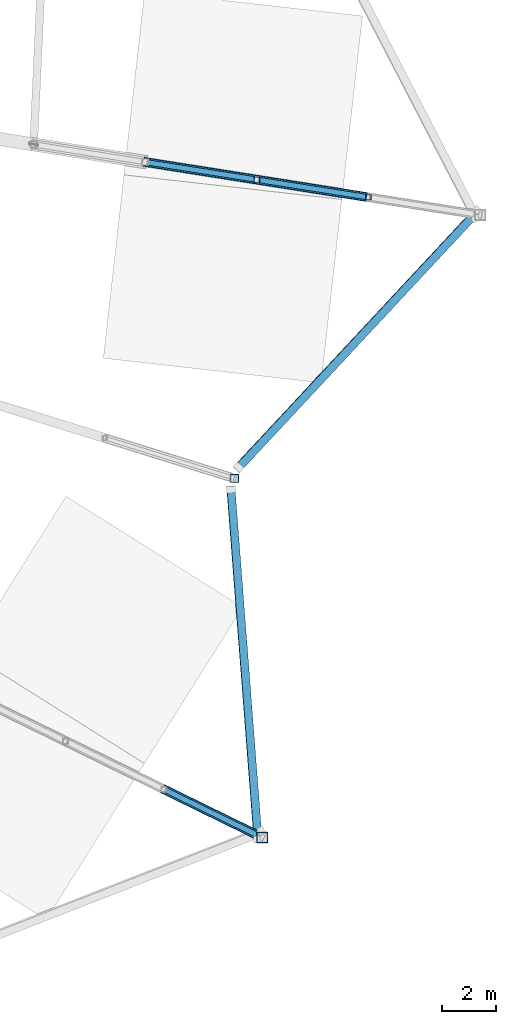
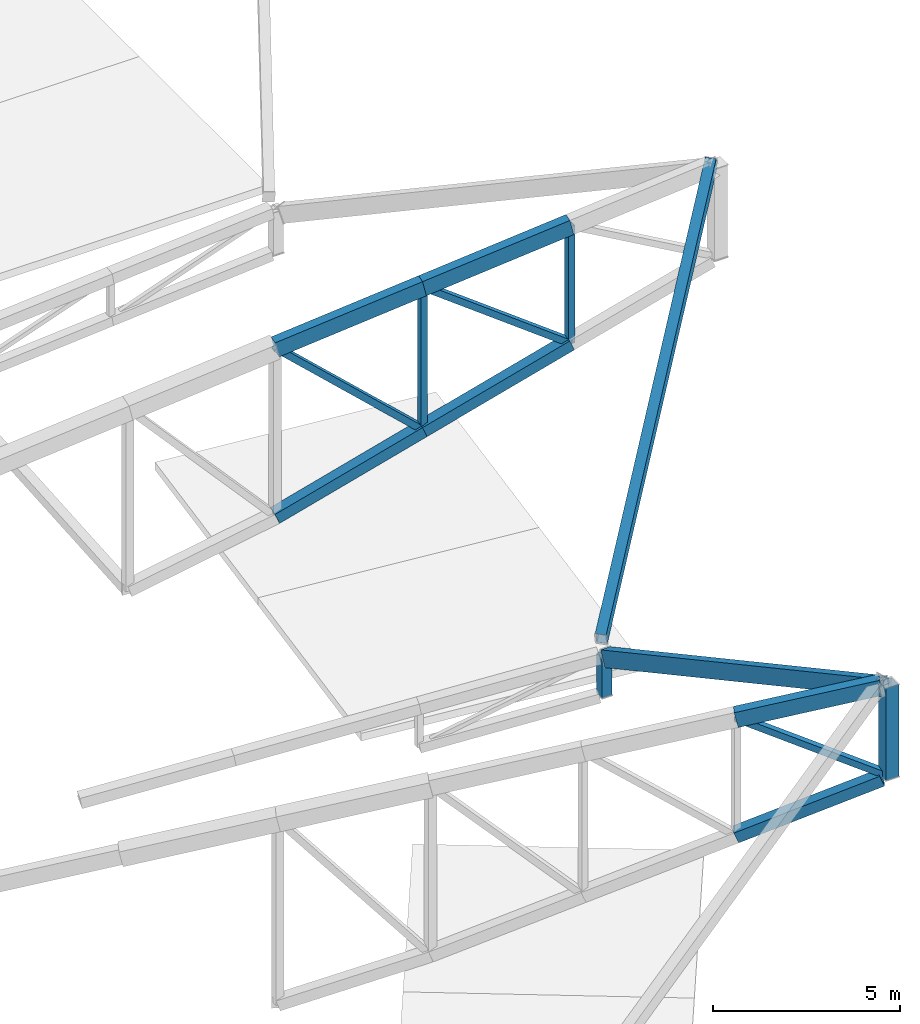
# One storey, part 51 of 188: 13 members, 2 beams.
"""IFC4 building model written with IfcOpenShell, lengths in metres."""

from ifc_helpers import new_model, si_unit, direction, frame, origin, origin_2d, place, context, subcontext, project, spatial, hollow_rectangle, extrude, material, material_profile, profile_set, type_object, element, save


model = new_model("IFC4")

# Units and contexts
model_context = context("Model", 3, precision=1e-05, world=origin(), true_north=direction((0.0, 1.0)))
body_context = subcontext(model_context, "Body", "Model", "MODEL_VIEW")
ifc_project = project(units=[si_unit("LENGTHUNIT", "METRE"), si_unit("AREAUNIT", "SQUARE_METRE"), si_unit("VOLUMEUNIT", "CUBIC_METRE"), si_unit("PLANEANGLEUNIT", "RADIAN"), si_unit("MASSUNIT", "GRAM", prefix="KILO")], contexts=[model_context])

# Site, building, storey
site_placement = place(None, origin())
site = spatial("IfcSite", under=ifc_project, at=site_placement, CompositionType="ELEMENT")
building_placement = place(site_placement, origin())
building = spatial("IfcBuilding", under=site, at=building_placement, Name="Meseta Stadium", CompositionType="ELEMENT")
storey_placement = place(building_placement, frame((0.0, 0.0, 30.0)))
storey = spatial("IfcBuildingStorey", under=building, at=storey_placement, Name="ROOF", CompositionType="ELEMENT", Elevation=30.0)

# Beams
ifc_material_1 = material(Name="Steel S355", Category="steel")
ifc_material_profile_1 = material_profile(ifc_material_1, hollow_rectangle(XDim=0.300048828125, YDim=0.5, WallThickness=0.01611328125, at=origin_2d()), Name="RHS 500x300x16")
ifc_profile_set_1 = profile_set([ifc_material_profile_1], Name="Steel S355")
beam_type = type_object("IfcBeamType", Name="RHS 500x300x16 rim ring beam", PredefinedType="BEAM", material=ifc_profile_set_1)
for number, where, z_axis, x_axis, name in (
    (1, (92.74365234375, -79.527587890625, 10.41015625), (-0.068685754258, 0.889953064978, -0.450850096261), (-0.997637943348, -0.061677231743, 0.030239925196), "RIM RING BEAM 55"),
    (2, (92.022705078125, -65.636962890625, 3.796142578125), (0.60856859861, 0.652977883358, 0.450848250114), (-0.743783909237, 0.667372742136, 0.037404804693), "RIM RING BEAM 56"),
):
    element("IfcBeam", number, at=place(storey_placement, frame(where, z_axis=z_axis, x_axis=x_axis)), inside=storey, type_object=beam_type, Name=name, PredefinedType="BEAM", context=body_context, shape_type="SweptSolid", body=[
        extrude(hollow_rectangle(XDim=0.300048828125, YDim=0.5, WallThickness=0.01611328125, at=origin_2d()), origin(), (0.0, 0.0, 1.0), 14.6728515625),
    ])

# Members
ifc_material_2 = material(Name="Steel S355", Category="steel")
ifc_material_profile_2 = material_profile(ifc_material_2, hollow_rectangle(XDim=0.300048828125, YDim=0.5, WallThickness=0.01611328125, at=origin_2d()), Name="RHS 500x300x16")
ifc_profile_set_2 = profile_set([ifc_material_profile_2], Name="Steel S355")
member_type_1 = type_object("IfcMemberType", Name="RHS 500x300x16 top chord", PredefinedType="CHORD", material=ifc_profile_set_2)
member_1_placement = place(storey_placement, frame((88.535400390625, -54.224853515625, 7.621337890625), z_axis=(0.964269528761, -0.152351087112, 0.216733527999), x_axis=(0.156060520601, 0.987747495016, 0.0)))
element("IfcMember", 3, at=member_1_placement, inside=storey, type_object=member_type_1, Name="ROOF TRUSS RT-00 top chord", PredefinedType="CHORD", context=body_context, shape_type="SweptSolid", body=[
    extrude(hollow_rectangle(XDim=0.300048828125, YDim=0.5, WallThickness=0.01611328125, at=origin_2d()), origin(), (0.0, 0.0, 1.0), 4.32666015625),
])
member_2_placement = place(storey_placement, frame((92.70751953125, -54.884033203125, 8.55908203125), z_axis=(0.964249444355, -0.152404339002, 0.216785438891), x_axis=(0.156116912313, 0.98773858368, 0.0)))
element("IfcMember", 4, at=member_2_placement, inside=storey, type_object=member_type_1, Name="ROOF TRUSS RT-00 top chord", PredefinedType="CHORD", context=body_context, shape_type="SweptSolid", body=[
    extrude(hollow_rectangle(XDim=0.300048828125, YDim=0.5, WallThickness=0.01611328125, at=origin_2d()), origin(), (0.0, 0.0, 1.0), 4.326904296875),
])
member_3_placement = place(storey_placement, frame((89.23095703125, -77.673828125, 9.513916015625), z_axis=(0.876465114648, -0.429159356242, 0.218245617952), x_axis=(0.439760273495, 0.89811519409, 0.0)))
element("IfcMember", 5, at=member_3_placement, inside=storey, type_object=member_type_1, Name="ROOF TRUSS RT-54 top chord", PredefinedType="CHORD", context=body_context, shape_type="SweptSolid", body=[
    extrude(hollow_rectangle(XDim=0.300048828125, YDim=0.5, WallThickness=0.01611328125, at=origin_2d()), origin(), (0.0, 0.0, 1.0), 3.995849609375),
])
ifc_material_3 = material(Name="Steel S355", Category="steel")
ifc_material_profile_3 = material_profile(ifc_material_3, hollow_rectangle(XDim=0.199951171875, YDim=0.199951171875, WallThickness=0.008056640625, at=origin_2d()), Name="SHS 200x200x8")
ifc_profile_set_3 = profile_set([ifc_material_profile_3], Name="Steel S355")
member_type_2 = type_object("IfcMemberType", Name="SHS 200x200x8 diagonal", PredefinedType="BRACE", material=ifc_profile_set_3)
member_4_placement = place(storey_placement, frame((88.535400390625, -54.224853515625, 7.621337890625), z_axis=(0.740492693819, -0.116995159068, -0.661802616461), x_axis=(0.156060520601, 0.987747495016, 0.0)))
element("IfcMember", 6, at=member_4_placement, inside=storey, type_object=member_type_2, Name="ROOF TRUSS RT-00 diagonal", PredefinedType="BRACE", context=body_context, shape_type="SweptSolid", body=[
    extrude(hollow_rectangle(XDim=0.199951171875, YDim=0.199951171875, WallThickness=0.008056640625, at=origin_2d()), origin(), (0.0, 0.0, 1.0), 5.63427734375),
])
member_5_placement = place(storey_placement, frame((92.70751953125, -54.884033203125, 8.55908203125), z_axis=(0.814718325647, -0.128770214616, -0.565377998938), x_axis=(0.156116912313, 0.98773858368, 0.0)))
element("IfcMember", 7, at=member_5_placement, inside=storey, type_object=member_type_2, Name="ROOF TRUSS RT-00 diagonal", PredefinedType="BRACE", context=body_context, shape_type="SweptSolid", body=[
    extrude(hollow_rectangle(XDim=0.199951171875, YDim=0.199951171875, WallThickness=0.008056640625, at=origin_2d()), origin(), (0.0, 0.0, 1.0), 5.120849609375),
])
member_6_placement = place(storey_placement, frame((89.23095703125, -77.673828125, 9.513916015625), z_axis=(0.800386278462, -0.391930504543, -0.453621301151), x_axis=(0.439781086195, 0.898105002895, 0.0)))
element("IfcMember", 8, at=member_6_placement, inside=storey, type_object=member_type_2, Name="ROOF TRUSS RT-54 diagonal", PredefinedType="BRACE", context=body_context, shape_type="SweptSolid", body=[
    extrude(hollow_rectangle(XDim=0.199951171875, YDim=0.199951171875, WallThickness=0.008056640625, at=origin_2d()), origin(), (0.0, 0.0, 1.0), 4.5947265625),
])
ifc_material_4 = material(Name="Steel S355", Category="steel")
ifc_material_profile_4 = material_profile(ifc_material_4, hollow_rectangle(XDim=0.199951171875, YDim=0.199951171875, WallThickness=0.008056640625, at=origin_2d()), Name="SHS 200x200x8")
ifc_profile_set_4 = profile_set([ifc_material_profile_4], Name="Steel S355")
member_type_3 = type_object("IfcMemberType", Name="SHS 200x200x8 post", PredefinedType="POST", material=ifc_profile_set_4)
member_7_placement = place(storey_placement, frame((92.70751953125, -54.884033203125, 3.892578125), z_axis=(0.0, 0.0, 1.0), x_axis=(1.0, 0.0, 0.0)))
element("IfcMember", 9, at=member_7_placement, inside=storey, type_object=member_type_3, Name="ROOF TRUSS RT-00 post", PredefinedType="POST", context=body_context, shape_type="SweptSolid", body=[
    extrude(hollow_rectangle(XDim=0.199951171875, YDim=0.199951171875, WallThickness=0.008056640625, at=origin_2d()), origin(), (0.0, 0.0, 1.0), 4.66650390625),
])
member_8_placement = place(storey_placement, frame((96.879638671875, -55.54345703125, 5.663818359375), z_axis=(0.0, 0.0, 1.0), x_axis=(1.0, 0.0, 0.0)))
element("IfcMember", 10, at=member_8_placement, inside=storey, type_object=member_type_3, Name="ROOF TRUSS RT-00 post", PredefinedType="POST", context=body_context, shape_type="SweptSolid", body=[
    extrude(hollow_rectangle(XDim=0.199951171875, YDim=0.199951171875, WallThickness=0.008056640625, at=origin_2d()), origin(), (0.0, 0.0, 1.0), 3.833251953125),
])
ifc_material_5 = material(Name="Steel S355", Category="steel")
ifc_material_profile_5 = material_profile(ifc_material_5, hollow_rectangle(XDim=0.300048828125, YDim=0.300048828125, WallThickness=0.010009765625, at=origin_2d()), Name="SHS 300x300x10")
ifc_profile_set_5 = profile_set([ifc_material_profile_5], Name="Steel S355")
member_type_4 = type_object("IfcMemberType", Name="SHS 300x300x10 rim post", PredefinedType="POST", material=ifc_profile_set_5)
member_9_placement = place(storey_placement, frame((91.872802734375, -66.051513671875, 2.2919921875), z_axis=(0.0, 0.0, 1.0), x_axis=(1.0, 0.0, 0.0)))
element("IfcMember", 11, at=member_9_placement, inside=storey, type_object=member_type_4, Name="ROOF TRUSS RT-55 post", PredefinedType="POST", context=body_context, shape_type="SweptSolid", body=[
    extrude(hollow_rectangle(XDim=0.300048828125, YDim=0.300048828125, WallThickness=0.010009765625, at=origin_2d()), origin(), (0.0, 0.0, 1.0), 1.300048828125),
])
ifc_material_6 = material(Name="Steel S355", Category="steel")
ifc_material_profile_6 = material_profile(ifc_material_6, hollow_rectangle(XDim=0.35009765625, YDim=0.35009765625, WallThickness=0.010009765625, at=origin_2d()), Name="SHS 350x350x10")
ifc_profile_set_6 = profile_set([ifc_material_profile_6], Name="Steel S355")
member_type_5 = type_object("IfcMemberType", Name="SHS 350x350x10 bottom chord", PredefinedType="CHORD", material=ifc_profile_set_6)
for number, where, z_axis, x_axis, name in (
    (12, (88.535400390625, -54.224853515625, 2.121337890625), (0.910899881436, -0.143918876463, 0.386715351385), (0.156060520601, 0.987747495016, 0.0), "ROOF TRUSS RT-00 bottom chord"),
    (13, (92.70751953125, -54.884033203125, 3.892578125), (0.910892892392, -0.143971075098, 0.386712384241), (0.156116912313, 0.98773858368, 0.0), "ROOF TRUSS RT-00 bottom chord"),
):
    element("IfcMember", number, at=place(storey_placement, frame(where, z_axis=z_axis, x_axis=x_axis)), inside=storey, type_object=member_type_5, Name=name, PredefinedType="CHORD", context=body_context, shape_type="SweptSolid", body=[
        extrude(hollow_rectangle(XDim=0.35009765625, YDim=0.35009765625, WallThickness=0.010009765625, at=origin_2d()), origin(), (0.0, 0.0, 1.0), 4.580322265625),
    ])
member_10_placement = place(storey_placement, frame((89.23095703125, -77.673828125, 5.682373046875), z_axis=(0.826055007262, -0.404501113934, 0.392443593149), x_axis=(0.439782165892, 0.898104474192, 0.0)))
element("IfcMember", 14, at=member_10_placement, inside=storey, type_object=member_type_5, Name="ROOF TRUSS RT-54 bottom chord", PredefinedType="CHORD", context=body_context, shape_type="SweptSolid", body=[
    extrude(hollow_rectangle(XDim=0.35009765625, YDim=0.35009765625, WallThickness=0.010009765625, at=origin_2d()), origin(), (0.0, 0.0, 1.0), 4.252197265625),
])
ifc_material_7 = material(Name="Steel S355", Category="steel")
ifc_material_profile_7 = material_profile(ifc_material_7, hollow_rectangle(XDim=0.39990234375, YDim=0.39990234375, WallThickness=0.01416015625, at=origin_2d()), Name="SHS 400x400x14.2")
ifc_profile_set_7 = profile_set([ifc_material_profile_7], Name="Steel S355")
member_type_6 = type_object("IfcMemberType", Name="SHS 400x400x14.2 rim post", PredefinedType="POST", material=ifc_profile_set_7)
member_11_placement = place(storey_placement, frame((92.908447265625, -79.474609375, 7.4296875), z_axis=(0.0, 0.0, 1.0), x_axis=(1.0, 0.0, 0.0)))
element("IfcMember", 15, at=member_11_placement, inside=storey, type_object=member_type_6, Name="ROOF TRUSS RT-54 post", PredefinedType="POST", context=body_context, shape_type="SweptSolid", body=[
    extrude(hollow_rectangle(XDim=0.39990234375, YDim=0.39990234375, WallThickness=0.01416015625, at=origin_2d()), origin(), (0.0, 0.0, 1.0), 3.0),
])

save(model, "model.ifc")
